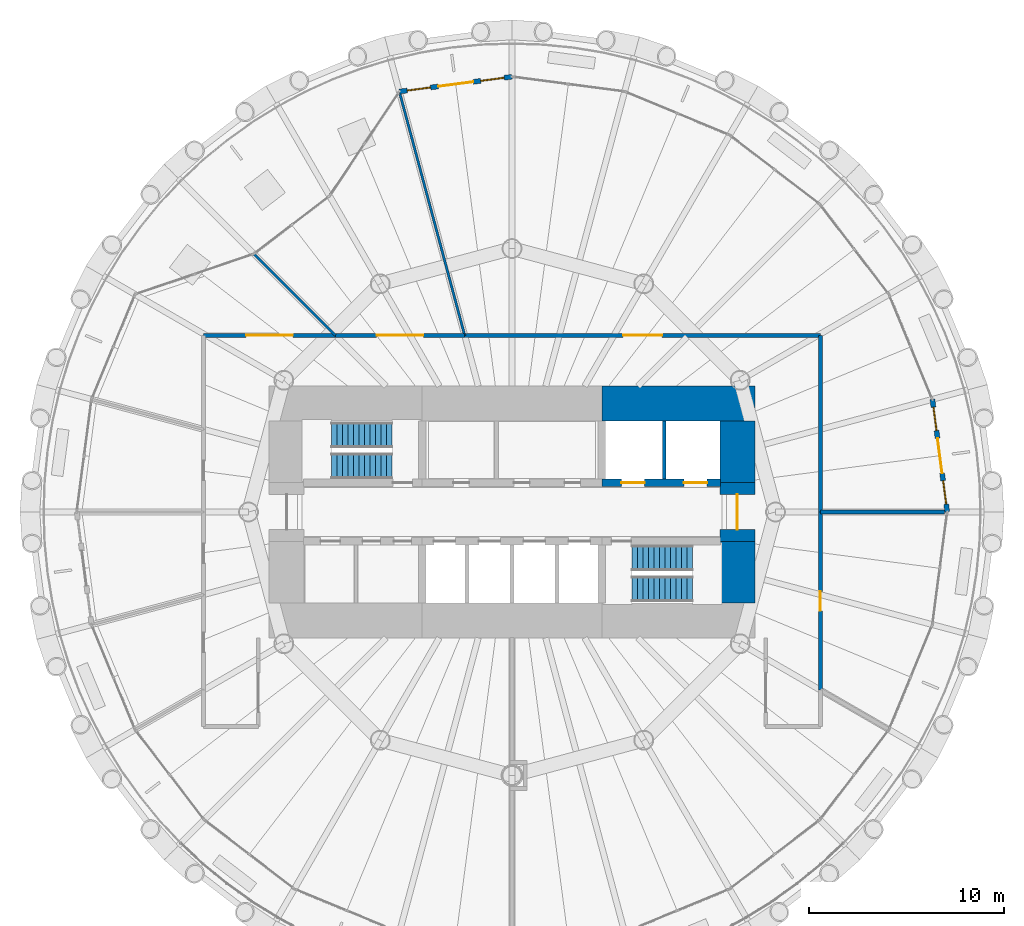
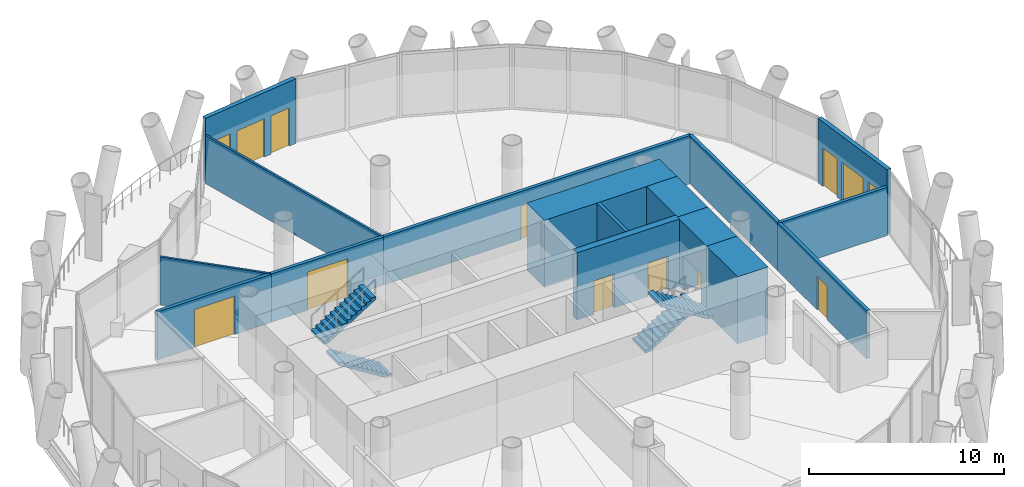
# One storey, part 10 of 14: 16 walls, 9 doors, 4 stair flights, 4 windows, 13 openings, 2 elements without a shape of their own.
"""IFC4 building model written with IfcOpenShell, lengths in metres."""

from ifc_helpers import new_model, si_unit, direction, frame, frame_2d, origin, place, context, subcontext, project, spatial, polyline, rectangle, outline, extrude, material, layer, layer_set, type_object, element, fill, aggregate, save


model = new_model("IFC4")

# Units and contexts
model_context = context("Model", 3, precision=1e-05, world=origin(), true_north=direction((0.0, 1.0)))
body_context = subcontext(model_context, "Body", "Model", "MODEL_VIEW")
ifc_project = project(units=[si_unit("LENGTHUNIT", "METRE"), si_unit("AREAUNIT", "SQUARE_METRE"), si_unit("VOLUMEUNIT", "CUBIC_METRE"), si_unit("PLANEANGLEUNIT", "RADIAN"), si_unit("MASSUNIT", "GRAM", prefix="KILO")], contexts=[model_context])

# Site, building, storey
site_placement = place(None, origin())
site = spatial("IfcSite", under=ifc_project, at=site_placement, CompositionType="ELEMENT")
building_placement = place(site_placement, origin())
building = spatial("IfcBuilding", under=site, at=building_placement, Name="Qaws Media Tower", CompositionType="ELEMENT")
storey_placement = place(building_placement, frame((0.0, 0.0, 160.39990234375)))
storey = spatial("IfcBuildingStorey", under=building, at=storey_placement, Name="L36", CompositionType="ELEMENT", Elevation=160.39990234375)

# Wall, openings, door, windows
ifc_material_1 = material(Name="Precast concrete, exposed finish", Category="concrete")
ifc_layer_1 = layer(ifc_material_1, 0.25)
ifc_layer_set_1 = layer_set([ifc_layer_1], Name="Balcony door wall 250")
wall_type_1 = type_object("IfcWallType", Name="Balcony door wall 250", PredefinedType="SOLIDWALL", material=ifc_layer_set_1)
wall_1_placement = place(storey_placement, frame((82.300048828125, 50.0, 0.0), z_axis=(0.0, 0.0, 1.0), x_axis=(-0.130551062135, 0.99144158687, 0.0)))
wall_1 = element("IfcWall", 1, at=wall_1_placement, inside=storey, type_object=wall_type_1, Name="W132 EW1 balcony door wall L36-01", PredefinedType="SOLIDWALL", context=body_context, shape_type="SweptSolid", body=[
    extrude(rectangle(XDim=5.821533203125, YDim=0.25, at=frame_2d((2.91064453125, 0.0))), origin(), (0.0, 0.0, 1.0), 4.0400390625),
])
opening_1_placement = place(wall_1_placement, frame((2.0107421875, 0.0, 0.0)))
opening_1 = element("IfcOpeningElement", 2, at=opening_1_placement, cuts=wall_1, Name="Opening D7", PredefinedType="OPENING", context=body_context, shape_type="SweptSolid", body=[
    extrude(rectangle(XDim=1.800048828125, YDim=2.39990234375, at=frame_2d((0.89990234375, 1.199951171875))), frame((0.0, 0.135009765625, 0.0), z_axis=(0.0, -1.0, 0.0), x_axis=(1.0, 0.0, 0.0)), (0.0, 0.0, 1.0), 0.27001953125),
])
opening_2_placement = place(wall_1_placement, frame((0.41064453125, 0.0, 0.0)))
opening_2 = element("IfcOpeningElement", 3, at=opening_2_placement, cuts=wall_1, Name="Opening W1", PredefinedType="OPENING", context=body_context, shape_type="SweptSolid", body=[
    extrude(rectangle(XDim=1.199951171875, YDim=2.39990234375, at=frame_2d((0.60009765625, 1.199951171875))), frame((0.0, 0.135009765625, 0.0), z_axis=(0.0, -1.0, 0.0), x_axis=(1.0, 0.0, 0.0)), (0.0, 0.0, 1.0), 0.27001953125),
])
opening_3_placement = place(wall_1_placement, frame((4.210693359375, 0.0, 0.0)))
opening_3 = element("IfcOpeningElement", 4, at=opening_3_placement, cuts=wall_1, Name="Opening W1", PredefinedType="OPENING", context=body_context, shape_type="SweptSolid", body=[
    extrude(rectangle(XDim=1.199951171875, YDim=2.39990234375, at=frame_2d((0.60009765625, 1.199951171875))), frame((0.0, 0.135009765625, 0.0), z_axis=(0.0, -1.0, 0.0), x_axis=(1.0, 0.0, 0.0)), (0.0, 0.0, 1.0), 0.27001953125),
])
ifc_material_2 = material(Name="Aluminium and clear glass", Category="aluminium")
door_type_1 = type_object("IfcDoorType", Name="Balcony door pair 1800", OperationType="DOUBLE_DOOR_SLIDING", PredefinedType="DOOR", material=ifc_material_2)
door_1_placement = place(opening_1_placement, origin())
door_1 = element("IfcDoor", 5, at=door_1_placement, inside=storey, type_object=door_type_1, Name="D7 balcony door L36-01 in wall W132", OperationType="DOUBLE_DOOR_SLIDING", OverallHeight=2.39990234375, OverallWidth=1.800048828125, PredefinedType="DOOR", context=body_context, shape_type="SweptSolid", body=[
    extrude(rectangle(XDim=1.800048828125, YDim=2.39990234375, at=frame_2d((0.89990234375, 1.199951171875))), frame((0.0, 0.02490234375, 0.0), z_axis=(0.0, -1.0, 0.0), x_axis=(1.0, 0.0, 0.0)), (0.0, 0.0, 1.0), 0.050048828125),
])
fill(opening_1, door_1)
ifc_material_3 = material(Name="Aluminium and clear glass", Category="aluminium")
window_type = type_object("IfcWindowType", Name="Balcony side window 1200", PartitioningType="SINGLE_PANEL", PredefinedType="WINDOW", material=ifc_material_3)
window_1_placement = place(opening_2_placement, origin())
window_1 = element("IfcWindow", 6, at=window_1_placement, inside=storey, type_object=window_type, Name="W1 balcony side light L36-01L", OverallHeight=2.39990234375, OverallWidth=1.199951171875, PartitioningType="SINGLE_PANEL", PredefinedType="WINDOW", context=body_context, shape_type="SweptSolid", body=[
    extrude(rectangle(XDim=1.199951171875, YDim=2.39990234375, at=frame_2d((0.60009765625, 1.199951171875))), frame((0.0, 0.030029296875, 0.0), z_axis=(0.0, -1.0, 0.0), x_axis=(1.0, 0.0, 0.0)), (0.0, 0.0, 1.0), 0.06005859375),
])
fill(opening_2, window_1)
window_2_placement = place(opening_3_placement, origin())
window_2 = element("IfcWindow", 7, at=window_2_placement, inside=storey, type_object=window_type, Name="W1 balcony side light L36-01R", OverallHeight=2.39990234375, OverallWidth=1.199951171875, PartitioningType="SINGLE_PANEL", PredefinedType="WINDOW", context=body_context, shape_type="SweptSolid", body=[
    extrude(rectangle(XDim=1.199951171875, YDim=2.39990234375, at=frame_2d((0.60009765625, 1.199951171875))), frame((0.0, 0.030029296875, 0.0), z_axis=(0.0, -1.0, 0.0), x_axis=(1.0, 0.0, 0.0)), (0.0, 0.0, 1.0), 0.06005859375),
])
fill(opening_3, window_2)

wall_2_placement = place(storey_placement, frame((60.0, 72.300048828125, 0.0), z_axis=(0.0, 0.0, 1.0), x_axis=(-0.99144158687, -0.130551062135, 0.0)))
wall_2 = element("IfcWall", 8, at=wall_2_placement, inside=storey, type_object=wall_type_1, Name="W131 EW1 balcony door wall L36-07", PredefinedType="SOLIDWALL", context=body_context, shape_type="SweptSolid", body=[
    extrude(rectangle(XDim=5.821533203125, YDim=0.25, at=frame_2d((2.91064453125, 0.0))), origin(), (0.0, 0.0, 1.0), 4.0400390625),
])
opening_4_placement = place(wall_2_placement, frame((2.0107421875, 0.0, 0.0)))
opening_4 = element("IfcOpeningElement", 9, at=opening_4_placement, cuts=wall_2, Name="Opening D7", PredefinedType="OPENING", context=body_context, shape_type="SweptSolid", body=[
    extrude(rectangle(XDim=1.800048828125, YDim=2.39990234375, at=frame_2d((0.89990234375, 1.199951171875))), frame((0.0, 0.135009765625, 0.0), z_axis=(0.0, -1.0, 0.0), x_axis=(1.0, 0.0, 0.0)), (0.0, 0.0, 1.0), 0.27001953125),
])
opening_5_placement = place(wall_2_placement, frame((0.41064453125, 0.0, 0.0)))
opening_5 = element("IfcOpeningElement", 10, at=opening_5_placement, cuts=wall_2, Name="Opening W1", PredefinedType="OPENING", context=body_context, shape_type="SweptSolid", body=[
    extrude(rectangle(XDim=1.199951171875, YDim=2.39990234375, at=frame_2d((0.60009765625, 1.199951171875))), frame((0.0, 0.135009765625, 0.0), z_axis=(0.0, -1.0, 0.0), x_axis=(1.0, 0.0, 0.0)), (0.0, 0.0, 1.0), 0.27001953125),
])
opening_6_placement = place(wall_2_placement, frame((4.210693359375, 0.0, 0.0)))
opening_6 = element("IfcOpeningElement", 11, at=opening_6_placement, cuts=wall_2, Name="Opening W1", PredefinedType="OPENING", context=body_context, shape_type="SweptSolid", body=[
    extrude(rectangle(XDim=1.199951171875, YDim=2.39990234375, at=frame_2d((0.60009765625, 1.199951171875))), frame((0.0, 0.135009765625, 0.0), z_axis=(0.0, -1.0, 0.0), x_axis=(1.0, 0.0, 0.0)), (0.0, 0.0, 1.0), 0.27001953125),
])
door_2_placement = place(opening_4_placement, origin())
door_2 = element("IfcDoor", 12, at=door_2_placement, inside=storey, type_object=door_type_1, Name="D7 balcony door L36-07 in wall W131", OperationType="DOUBLE_DOOR_SLIDING", OverallHeight=2.39990234375, OverallWidth=1.800048828125, PredefinedType="DOOR", context=body_context, shape_type="SweptSolid", body=[
    extrude(rectangle(XDim=1.800048828125, YDim=2.39990234375, at=frame_2d((0.89990234375, 1.199951171875))), frame((0.0, 0.02490234375, 0.0), z_axis=(0.0, -1.0, 0.0), x_axis=(1.0, 0.0, 0.0)), (0.0, 0.0, 1.0), 0.050048828125),
])
fill(opening_4, door_2)
window_3_placement = place(opening_5_placement, origin())
window_3 = element("IfcWindow", 13, at=window_3_placement, inside=storey, type_object=window_type, Name="W1 balcony side light L36-07L", OverallHeight=2.39990234375, OverallWidth=1.199951171875, PartitioningType="SINGLE_PANEL", PredefinedType="WINDOW", context=body_context, shape_type="SweptSolid", body=[
    extrude(rectangle(XDim=1.199951171875, YDim=2.39990234375, at=frame_2d((0.60009765625, 1.199951171875))), frame((0.0, 0.030029296875, 0.0), z_axis=(0.0, -1.0, 0.0), x_axis=(1.0, 0.0, 0.0)), (0.0, 0.0, 1.0), 0.06005859375),
])
fill(opening_5, window_3)
window_4_placement = place(opening_6_placement, origin())
window_4 = element("IfcWindow", 14, at=window_4_placement, inside=storey, type_object=window_type, Name="W1 balcony side light L36-07R", OverallHeight=2.39990234375, OverallWidth=1.199951171875, PartitioningType="SINGLE_PANEL", PredefinedType="WINDOW", context=body_context, shape_type="SweptSolid", body=[
    extrude(rectangle(XDim=1.199951171875, YDim=2.39990234375, at=frame_2d((0.60009765625, 1.199951171875))), frame((0.0, 0.030029296875, 0.0), z_axis=(0.0, -1.0, 0.0), x_axis=(1.0, 0.0, 0.0)), (0.0, 0.0, 1.0), 0.06005859375),
])
fill(opening_6, window_4)

# Wall, openings, doors
ifc_material_4 = material(Name="Concrete C60/75", Category="concrete")
ifc_layer_2 = layer(ifc_material_4, 0.39990234375)
ifc_layer_set_2 = layer_set([ifc_layer_2], Name="Core inner wall 400")
wall_type_2 = type_object("IfcWallType", Name="Core inner wall 400", PredefinedType="SHEAR", material=ifc_layer_set_2)
wall_3_placement = place(storey_placement, frame((64.60009765625, 51.5, 0.0), z_axis=(0.0, 0.0, 1.0), x_axis=(1.0, 0.0, 0.0)))
wall_3 = element("IfcWall", 15, at=wall_3_placement, inside=storey, type_object=wall_type_2, Name="W326 SW4 core wall SPNE L36", PredefinedType="SHEAR", context=body_context, shape_type="SweptSolid", body=[
    extrude(rectangle(XDim=6.06982421875, YDim=0.39990234375, at=frame_2d((3.034912109375, 0.0))), origin(), (0.0, 0.0, 1.0), 4.2001953125),
])
opening_7_placement = place(wall_3_placement, frame((1.0, 0.0, 0.0)))
opening_7 = element("IfcOpeningElement", 16, at=opening_7_placement, cuts=wall_3, Name="Opening LD2", PredefinedType="OPENING", context=body_context, shape_type="SweptSolid", body=[
    extrude(rectangle(XDim=1.199951171875, YDim=2.10009765625, at=frame_2d((0.60009765625, 1.050048828125))), frame((0.0, 0.2099609375, 0.0), z_axis=(0.0, -1.0, 0.0), x_axis=(1.0, 0.0, 0.0)), (0.0, 0.0, 1.0), 0.419921875),
])
opening_8_placement = place(wall_3_placement, frame((4.199951171875, 0.0, 0.0)))
opening_8 = element("IfcOpeningElement", 17, at=opening_8_placement, cuts=wall_3, Name="Opening LD2", PredefinedType="OPENING", context=body_context, shape_type="SweptSolid", body=[
    extrude(rectangle(XDim=1.199951171875, YDim=2.10009765625, at=frame_2d((0.60009765625, 1.050048828125))), frame((0.0, 0.2099609375, 0.0), z_axis=(0.0, -1.0, 0.0), x_axis=(1.0, 0.0, 0.0)), (0.0, 0.0, 1.0), 0.419921875),
])
ifc_material_5 = material(Name="Steel, fire rated", Category="steel")
door_type_2 = type_object("IfcDoorType", Name="Lift landing door 1200", OperationType="SLIDING_TO_LEFT", PredefinedType="DOOR", material=ifc_material_5)
door_3_placement = place(opening_7_placement, origin())
door_3 = element("IfcDoor", 18, at=door_3_placement, inside=storey, type_object=door_type_2, Name="FL1 landing door L36 in wall W326", OperationType="SLIDING_TO_LEFT", OverallHeight=2.10009765625, OverallWidth=1.199951171875, PredefinedType="DOOR", context=body_context, shape_type="SweptSolid", body=[
    extrude(rectangle(XDim=1.199951171875, YDim=2.10009765625, at=frame_2d((0.60009765625, 1.050048828125))), frame((0.0, 0.02490234375, 0.0), z_axis=(0.0, -1.0, 0.0), x_axis=(1.0, 0.0, 0.0)), (0.0, 0.0, 1.0), 0.050048828125),
])
fill(opening_7, door_3)
door_4_placement = place(opening_8_placement, origin())
door_4 = element("IfcDoor", 19, at=door_4_placement, inside=storey, type_object=door_type_2, Name="FL2 landing door L36 in wall W326", OperationType="SLIDING_TO_LEFT", OverallHeight=2.10009765625, OverallWidth=1.199951171875, PredefinedType="DOOR", context=body_context, shape_type="SweptSolid", body=[
    extrude(rectangle(XDim=1.199951171875, YDim=2.10009765625, at=frame_2d((0.60009765625, 1.050048828125))), frame((0.0, 0.02490234375, 0.0), z_axis=(0.0, -1.0, 0.0), x_axis=(1.0, 0.0, 0.0)), (0.0, 0.0, 1.0), 0.050048828125),
])
fill(opening_8, door_4)

# Walls
ifc_material_6 = material(Name="Concrete C60/75", Category="concrete")
ifc_layer_3 = layer(ifc_material_6, 1.800048828125)
ifc_layer_set_3 = layer_set([ifc_layer_3], Name="Core wall 1800")
wall_type_3 = type_object("IfcWallType", Name="Core wall 1800", PredefinedType="SHEAR", material=ifc_layer_set_3)
wall_4_placement = place(storey_placement, frame((64.60009765625, 55.550048828125, 0.0), z_axis=(0.0, 0.0, 1.0), x_axis=(1.0, 0.0, 0.0)))
element("IfcWall", 20, at=wall_4_placement, inside=storey, type_object=wall_type_3, Name="W423 SW11 core wall NE L36", PredefinedType="SHEAR", context=body_context, shape_type="SweptSolid", body=[
    extrude(rectangle(XDim=7.849853515625, YDim=1.800048828125, at=frame_2d((3.9248046875, 0.0))), origin(), (0.0, 0.0, 1.0), 4.2001953125),
])
wall_5_placement = place(storey_placement, frame((71.550048828125, 45.330078125, 0.0), z_axis=(0.0, 0.0, 1.0), x_axis=(0.0, 1.0, 0.0)))
element("IfcWall", 21, at=wall_5_placement, inside=storey, type_object=wall_type_3, Name="W424 SW11 core wall ES L36", PredefinedType="SHEAR", context=body_context, shape_type="SweptSolid", body=[
    extrude(rectangle(XDim=3.169921875, YDim=1.800048828125, at=frame_2d((1.5849609375, 0.0))), origin(), (0.0, 0.0, 1.0), 4.2001953125),
])

# Wall, opening, door
wall_6_placement = place(storey_placement, frame((71.550048828125, 48.5, 0.0), z_axis=(0.0, 0.0, 1.0), x_axis=(0.0, 1.0, 0.0)))
wall_6 = element("IfcWall", 22, at=wall_6_placement, inside=storey, type_object=wall_type_3, Name="W427 SW11 core wall E L36", PredefinedType="SHEAR", context=body_context, shape_type="SweptSolid", body=[
    extrude(rectangle(XDim=3.0, YDim=1.800048828125, at=frame_2d((1.5, 0.0))), origin(), (0.0, 0.0, 1.0), 4.2001953125),
])
opening_9_placement = place(wall_6_placement, frame((0.60009765625, 0.0, 0.0)))
opening_9 = element("IfcOpeningElement", 23, at=opening_9_placement, cuts=wall_6, Name="Opening D2", PredefinedType="OPENING", context=body_context, shape_type="SweptSolid", body=[
    extrude(rectangle(XDim=1.800048828125, YDim=2.10009765625, at=frame_2d((0.89990234375, 1.050048828125))), frame((0.0, 0.909912109375, 0.0), z_axis=(0.0, -1.0, 0.0), x_axis=(1.0, 0.0, 0.0)), (0.0, 0.0, 1.0), 1.820068359375),
])
ifc_material_7 = material(Name="Steel and glass, fire rated", Category="steel")
door_type_3 = type_object("IfcDoorType", Name="Lobby door pair 1800 FD60", OperationType="DOUBLE_DOOR_DOUBLE_SWING", PredefinedType="DOOR", material=ifc_material_7)
door_5_placement = place(opening_9_placement, origin())
door_5 = element("IfcDoor", 24, at=door_5_placement, inside=storey, type_object=door_type_3, Name="D2 core lobby door E L36 in wall W427", OperationType="DOUBLE_DOOR_DOUBLE_SWING", OverallHeight=2.10009765625, OverallWidth=1.800048828125, PredefinedType="DOOR", context=body_context, shape_type="SweptSolid", body=[
    extrude(rectangle(XDim=1.800048828125, YDim=2.10009765625, at=frame_2d((0.89990234375, 1.050048828125))), frame((0.0, 0.02490234375, 0.0), z_axis=(0.0, -1.0, 0.0), x_axis=(1.0, 0.0, 0.0)), (0.0, 0.0, 1.0), 0.050048828125),
])
fill(opening_9, door_5)

# Walls
wall_7_placement = place(storey_placement, frame((71.550048828125, 51.5, 0.0), z_axis=(0.0, 0.0, 1.0), x_axis=(0.0, 1.0, 0.0)))
element("IfcWall", 25, at=wall_7_placement, inside=storey, type_object=wall_type_3, Name="W425 SW11 core wall EN L36", PredefinedType="SHEAR", context=body_context, shape_type="SweptSolid", body=[
    extrude(rectangle(XDim=3.169921875, YDim=1.800048828125, at=frame_2d((1.5849609375, 0.0))), origin(), (0.0, 0.0, 1.0), 4.2001953125),
])
ifc_material_8 = material(Name="Two layers gypsum board each side on 75 studs, insulated", Category="gypsum")
ifc_layer_4 = layer(ifc_material_8, 0.125)
ifc_layer_set_4 = layer_set([ifc_layer_4], Name="Meeting room partition 125 Rw 48")
wall_type_4 = type_object("IfcWallType", Name="Meeting room partition 125 Rw 48", PredefinedType="PARTITIONING", material=ifc_layer_set_4)
wall_8_placement = place(storey_placement, frame((57.577392578125, 59.041015625, 0.0), z_axis=(0.0, 0.0, 1.0), x_axis=(-0.258810449587, 0.96592812941, 0.0)))
element("IfcWall", 26, at=wall_8_placement, inside=storey, type_object=wall_type_4, Name="W571 IW5 partition L36", PredefinedType="PARTITIONING", context=body_context, shape_type="SweptSolid", body=[
    extrude(rectangle(XDim=12.7998046875, YDim=0.125, at=frame_2d((6.39990234375, 0.0))), origin(), (0.0, 0.0, 1.0), 3.01220703125),
])
wall_9_placement = place(storey_placement, frame((50.948974609375, 59.051025390625, 0.0), z_axis=(0.0, 0.0, 1.0), x_axis=(-0.707106781187, 0.707106781187, 0.0)))
element("IfcWall", 27, at=wall_9_placement, inside=storey, type_object=wall_type_4, Name="W570 IW5 partition L36", PredefinedType="PARTITIONING", context=body_context, shape_type="SweptSolid", body=[
    extrude(rectangle(XDim=5.85986328125, YDim=0.125, at=frame_2d((2.929931640625, 0.0))), origin(), (0.0, 0.0, 1.0), 3.01220703125),
])

# Wall, opening, door
ifc_material_9 = material(Name="Gypsum board on galvanised metal studs, acoustic double stud, deflection head", Category="gypsum")
ifc_layer_5 = layer(ifc_material_9, 0.199951171875)
ifc_layer_set_5 = layer_set([ifc_layer_5], Name="Room partition 200")
wall_type_5 = type_object("IfcWallType", Name="Room partition 200", PredefinedType="PARTITIONING", material=ifc_layer_set_5)
wall_10_placement = place(storey_placement, frame((44.199951171875, 59.050048828125, 0.0), z_axis=(0.0, 0.0, 1.0), x_axis=(1.0, 0.0, 0.0)))
wall_10 = element("IfcWall", 28, at=wall_10_placement, inside=storey, type_object=wall_type_5, Name="W1365 IW3 partition L36", PredefinedType="PARTITIONING", context=body_context, shape_type="SweptSolid", body=[
    extrude(rectangle(XDim=6.75, YDim=0.199951171875, at=frame_2d((3.375, 0.0))), origin(), (0.0, 0.0, 1.0), 3.01220703125),
])
opening_10_placement = place(wall_10_placement, frame((2.175048828125, 0.0, 0.0)))
opening_10 = element("IfcOpeningElement", 29, at=opening_10_placement, cuts=wall_10, Name="Opening D17", PredefinedType="OPENING", context=body_context, shape_type="SweptSolid", body=[
    extrude(rectangle(XDim=2.39990234375, YDim=2.39990234375, at=frame_2d((1.199951171875, 1.199951171875))), frame((0.0, 0.10986328125, 0.0), z_axis=(0.0, -1.0, 0.0), x_axis=(1.0, 0.0, 0.0)), (0.0, 0.0, 1.0), 0.219970703125),
])
ifc_material_10 = material(Name="Timber veneered, panic hardware", Category="wood")
door_type_4 = type_object("IfcDoorType", Name="Assembly room door pair 2400x2400", OperationType="DOUBLE_DOOR_DOUBLE_SWING", PredefinedType="DOOR", material=ifc_material_10)
door_6_placement = place(opening_10_placement, origin())
door_6 = element("IfcDoor", 30, at=door_6_placement, inside=storey, type_object=door_type_4, Name="D17 Training room door L36 in wall W1365", OperationType="DOUBLE_DOOR_DOUBLE_SWING", OverallHeight=2.39990234375, OverallWidth=2.39990234375, PredefinedType="DOOR", context=body_context, shape_type="SweptSolid", body=[
    extrude(rectangle(XDim=2.39990234375, YDim=2.39990234375, at=frame_2d((1.199951171875, 1.199951171875))), frame((0.0, 0.02490234375, 0.0), z_axis=(0.0, -1.0, 0.0), x_axis=(1.0, 0.0, 0.0)), (0.0, 0.0, 1.0), 0.050048828125),
])
fill(opening_10, door_6)

wall_11_placement = place(storey_placement, frame((50.949951171875, 59.050048828125, 0.0), z_axis=(0.0, 0.0, 1.0), x_axis=(1.0, 0.0, 0.0)))
wall_11 = element("IfcWall", 31, at=wall_11_placement, inside=storey, type_object=wall_type_5, Name="W1368 IW3 partition L36", PredefinedType="PARTITIONING", context=body_context, shape_type="SweptSolid", body=[
    extrude(rectangle(XDim=6.625244140625, YDim=0.199951171875, at=frame_2d((3.3125, 0.0))), origin(), (0.0, 0.0, 1.0), 3.02001953125),
])
opening_11_placement = place(wall_11_placement, frame((2.112548828125, 0.0, 0.0)))
opening_11 = element("IfcOpeningElement", 32, at=opening_11_placement, cuts=wall_11, Name="Opening D17", PredefinedType="OPENING", context=body_context, shape_type="SweptSolid", body=[
    extrude(rectangle(XDim=2.39990234375, YDim=2.39990234375, at=frame_2d((1.199951171875, 1.199951171875))), frame((0.0, 0.10986328125, 0.0), z_axis=(0.0, -1.0, 0.0), x_axis=(1.0, 0.0, 0.0)), (0.0, 0.0, 1.0), 0.219970703125),
])
door_7_placement = place(opening_11_placement, origin())
door_7 = element("IfcDoor", 33, at=door_7_placement, inside=storey, type_object=door_type_4, Name="D17 Training room door L36 in wall W1368", OperationType="DOUBLE_DOOR_DOUBLE_SWING", OverallHeight=2.39990234375, OverallWidth=2.39990234375, PredefinedType="DOOR", context=body_context, shape_type="SweptSolid", body=[
    extrude(rectangle(XDim=2.39990234375, YDim=2.39990234375, at=frame_2d((1.199951171875, 1.199951171875))), frame((0.0, 0.02490234375, 0.0), z_axis=(0.0, -1.0, 0.0), x_axis=(1.0, 0.0, 0.0)), (0.0, 0.0, 1.0), 0.050048828125),
])
fill(opening_11, door_7)

wall_12_placement = place(storey_placement, frame((57.5751953125, 59.050048828125, 0.0), z_axis=(0.0, 0.0, 1.0), x_axis=(1.0, 0.0, 0.0)))
wall_12 = element("IfcWall", 34, at=wall_12_placement, inside=storey, type_object=wall_type_5, Name="W1369 IW3 partition L36", PredefinedType="PARTITIONING", context=body_context, shape_type="SweptSolid", body=[
    extrude(rectangle(XDim=18.224853515625, YDim=0.199951171875, at=frame_2d((9.1123046875, 0.0))), origin(), (0.0, 0.0, 1.0), 3.01220703125),
])
opening_12_placement = place(wall_12_placement, frame((8.112548828125, 0.0, 0.0)))
opening_12 = element("IfcOpeningElement", 35, at=opening_12_placement, cuts=wall_12, Name="Opening D6", PredefinedType="OPENING", context=body_context, shape_type="SweptSolid", body=[
    extrude(rectangle(XDim=2.0, YDim=2.10009765625, at=frame_2d((1.0, 1.050048828125))), frame((0.0, 0.10986328125, 0.0), z_axis=(0.0, -1.0, 0.0), x_axis=(1.0, 0.0, 0.0)), (0.0, 0.0, 1.0), 0.219970703125),
])
ifc_material_11 = material(Name="Steel, acoustic, fire rated", Category="steel")
door_type_5 = type_object("IfcDoorType", Name="Room door pair 2000", OperationType="DOUBLE_DOOR_DOUBLE_SWING", PredefinedType="DOOR", material=ifc_material_11)
door_8_placement = place(opening_12_placement, origin())
door_8 = element("IfcDoor", 36, at=door_8_placement, inside=storey, type_object=door_type_5, Name="D6 HR office door L36 in wall W1369", OperationType="DOUBLE_DOOR_DOUBLE_SWING", OverallHeight=2.10009765625, OverallWidth=2.0, PredefinedType="DOOR", context=body_context, shape_type="SweptSolid", body=[
    extrude(rectangle(XDim=2.0, YDim=2.10009765625, at=frame_2d((1.0, 1.050048828125))), frame((0.0, 0.02490234375, 0.0), z_axis=(0.0, -1.0, 0.0), x_axis=(1.0, 0.0, 0.0)), (0.0, 0.0, 1.0), 0.050048828125),
])
fill(opening_12, door_8)

# Wall
wall_13_placement = place(storey_placement, frame((75.800048828125, 59.050048828125, 0.0), z_axis=(0.0, 0.0, 1.0), x_axis=(0.0, -1.0, 0.0)))
element("IfcWall", 37, at=wall_13_placement, inside=storey, type_object=wall_type_5, Name="W1377 IW3 partition L36", PredefinedType="PARTITIONING", context=body_context, shape_type="SweptSolid", body=[
    extrude(rectangle(XDim=9.050048828125, YDim=0.199951171875, at=frame_2d((4.52490234375, 0.0))), origin(), (0.0, 0.0, 1.0), 3.01220703125),
])

# Wall, opening, door
wall_14_placement = place(storey_placement, frame((75.800048828125, 50.0, 0.0), z_axis=(0.0, 0.0, 1.0), x_axis=(0.0, -1.0, 0.0)))
wall_14 = element("IfcWall", 38, at=wall_14_placement, inside=storey, type_object=wall_type_5, Name="W1375 IW3 partition L36", PredefinedType="PARTITIONING", context=body_context, shape_type="SweptSolid", body=[
    extrude(rectangle(XDim=9.1220703125, YDim=0.199951171875, at=frame_2d((4.56103515625, 0.0))), origin(), (0.0, 0.0, 1.0), 3.01220703125),
])
opening_13_placement = place(wall_14_placement, frame((4.06103515625, 0.0, 0.0)))
opening_13 = element("IfcOpeningElement", 39, at=opening_13_placement, cuts=wall_14, Name="Opening D5", PredefinedType="OPENING", context=body_context, shape_type="SweptSolid", body=[
    extrude(rectangle(XDim=1.0, YDim=2.10009765625, at=frame_2d((0.5, 1.050048828125))), frame((0.0, 0.10986328125, 0.0), z_axis=(0.0, -1.0, 0.0), x_axis=(1.0, 0.0, 0.0)), (0.0, 0.0, 1.0), 0.219970703125),
])
ifc_material_12 = material(Name="Timber veneered, acoustic seal", Category="wood")
door_type_6 = type_object("IfcDoorType", Name="Room door 1000", OperationType="SINGLE_SWING_LEFT", PredefinedType="DOOR", material=ifc_material_12)
door_9_placement = place(opening_13_placement, origin())
door_9 = element("IfcDoor", 40, at=door_9_placement, inside=storey, type_object=door_type_6, Name="D5 HR office door L36 in wall W1375", OperationType="SINGLE_SWING_LEFT", OverallHeight=2.10009765625, OverallWidth=1.0, PredefinedType="DOOR", context=body_context, shape_type="SweptSolid", body=[
    extrude(rectangle(XDim=1.0, YDim=2.10009765625, at=frame_2d((0.5, 1.050048828125))), frame((0.0, 0.02490234375, 0.0), z_axis=(0.0, -1.0, 0.0), x_axis=(1.0, 0.0, 0.0)), (0.0, 0.0, 1.0), 0.050048828125),
])
fill(opening_13, door_9)

# Walls
wall_15_placement = place(storey_placement, frame((75.800048828125, 50.0, 0.0), z_axis=(0.0, 0.0, 1.0), x_axis=(1.0, 0.0, 0.0)))
element("IfcWall", 41, at=wall_15_placement, inside=storey, type_object=wall_type_5, Name="W1376 IW3 partition L36", PredefinedType="PARTITIONING", context=body_context, shape_type="SweptSolid", body=[
    extrude(rectangle(XDim=6.35986328125, YDim=0.199951171875, at=frame_2d((3.179931640625, 0.0))), origin(), (0.0, 0.0, 1.0), 3.01220703125),
])
ifc_material_13 = material(Name="Fire-rated gypsum board shaft wall on galvanised metal studs, deflection head", Category="gypsum")
ifc_layer_6 = layer(ifc_material_13, 0.199951171875)
ifc_layer_set_6 = layer_set([ifc_layer_6], Name="Shaft wall 200")
wall_type_6 = type_object("IfcWallType", Name="Shaft wall 200", PredefinedType="PARTITIONING", material=ifc_layer_set_6)
wall_16_placement = place(storey_placement, frame((67.800048828125, 51.699951171875, 0.0), z_axis=(0.0, 0.0, 1.0), x_axis=(0.0, 1.0, 0.0)))
element("IfcWall", 42, at=wall_16_placement, inside=storey, type_object=wall_type_6, Name="W1863 IW1 shaft wall FL L36", PredefinedType="PARTITIONING", context=body_context, shape_type="SweptSolid", body=[
    extrude(rectangle(XDim=2.949951171875, YDim=0.199951171875, at=frame_2d((1.47509765625, 0.0))), origin(), (0.0, 0.0, 1.0), 4.2001953125),
])

# Stair, stair flights
ifc_material_14 = material(Name="Concrete C40/50", Category="concrete")
stair_type = type_object("IfcStairType", Name="Exit stair", PredefinedType="HALF_TURN_STAIR", material=ifc_material_14)
stair_1_placement = place(storey_placement, origin())
stair_1 = element("IfcStair", 43, at=stair_1_placement, inside=storey, type_object=stair_type, Name="S1 exit stair L36", PredefinedType="HALF_TURN_STAIR")
ifc_material_15 = material(Name="Concrete C40/50", Category="concrete")
stair_flight_type = type_object("IfcStairFlightType", Name="Stair flight 1310", PredefinedType="STRAIGHT", material=ifc_material_15)
stair_flight_1_placement = place(storey_placement, frame((53.840087890625, 52.35498046875, 0.0), z_axis=(0.0, 0.0, 1.0), x_axis=(-1.0, 0.0, 0.0)))
stair_flight_1 = element("IfcStairFlight", 44, at=stair_flight_1_placement, type_object=stair_flight_type, Name="S1 flight 1", NumberOfRisers=12, NumberOfTreads=11, PredefinedType="STRAIGHT", RiserHeight=0.175, TreadLength=0.28, context=body_context, shape_type="SweptSolid", body=[
    extrude(outline(polyline([(0.0, 0.0), (0.0, 0.175048828125), (0.280029296875, 0.175048828125), (0.280029296875, 0.35009765625), (0.56005859375, 0.35009765625), (0.56005859375, 0.52490234375), (0.840087890625, 0.52490234375), (0.840087890625, 0.699951171875), (1.1201171875, 0.699951171875), (1.1201171875, 0.875), (1.39990234375, 0.875), (1.39990234375, 1.050048828125), (1.679931640625, 1.050048828125), (1.679931640625, 1.22509765625), (1.9599609375, 1.22509765625), (1.9599609375, 1.39990234375), (2.239990234375, 1.39990234375), (2.239990234375, 1.574951171875), (2.52001953125, 1.574951171875), (2.52001953125, 1.75), (2.800048828125, 1.75), (2.800048828125, 1.925048828125), (3.080078125, 1.925048828125), (3.080078125, 2.10009765625), (3.080078125, 1.748291015625), (0.28271484375, 0.0), (0.0, 0.0)])), frame((0.0, 0.655029296875, 0.0), z_axis=(0.0, -1.0, 0.0), x_axis=(1.0, 0.0, 0.0)), (0.0, 0.0, 1.0), 1.31005859375),
])
stair_flight_2_placement = place(storey_placement, frame((50.760009765625, 53.945068359375, 2.10009765625), z_axis=(0.0, 0.0, 1.0), x_axis=(1.0, 0.0, 0.0)))
stair_flight_2 = element("IfcStairFlight", 45, at=stair_flight_2_placement, type_object=stair_flight_type, Name="S1 flight 2", NumberOfRisers=12, NumberOfTreads=11, PredefinedType="STRAIGHT", RiserHeight=0.175, TreadLength=0.28, context=body_context, shape_type="SweptSolid", body=[
    extrude(outline(polyline([(0.0, 0.0), (0.0, 0.175048828125), (0.280029296875, 0.175048828125), (0.280029296875, 0.35009765625), (0.56005859375, 0.35009765625), (0.56005859375, 0.52490234375), (0.840087890625, 0.52490234375), (0.840087890625, 0.699951171875), (1.1201171875, 0.699951171875), (1.1201171875, 0.875), (1.39990234375, 0.875), (1.39990234375, 1.050048828125), (1.679931640625, 1.050048828125), (1.679931640625, 1.22509765625), (1.9599609375, 1.22509765625), (1.9599609375, 1.39990234375), (2.239990234375, 1.39990234375), (2.239990234375, 1.574951171875), (2.52001953125, 1.574951171875), (2.52001953125, 1.75), (2.800048828125, 1.75), (2.800048828125, 1.925048828125), (3.080078125, 1.925048828125), (3.080078125, 2.10009765625), (3.080078125, 1.748291015625), (0.28271484375, 0.0), (0.0, 0.0)])), frame((0.0, 0.655029296875, 0.0), z_axis=(0.0, -1.0, 0.0), x_axis=(1.0, 0.0, 0.0)), (0.0, 0.0, 1.0), 1.31005859375),
])
aggregate(stair_1, [stair_flight_1, stair_flight_2])

stair_2_placement = place(storey_placement, origin())
stair_2 = element("IfcStair", 46, at=stair_2_placement, inside=storey, type_object=stair_type, Name="S2 exit stair L36", PredefinedType="HALF_TURN_STAIR")
stair_flight_3_placement = place(storey_placement, frame((66.159912109375, 47.64501953125, 0.0), z_axis=(0.0, 0.0, 1.0), x_axis=(1.0, 0.0, 0.0)))
stair_flight_3 = element("IfcStairFlight", 47, at=stair_flight_3_placement, type_object=stair_flight_type, Name="S2 flight 1", NumberOfRisers=12, NumberOfTreads=11, PredefinedType="STRAIGHT", RiserHeight=0.175, TreadLength=0.28, context=body_context, shape_type="SweptSolid", body=[
    extrude(outline(polyline([(0.0, 0.0), (0.0, 0.175048828125), (0.280029296875, 0.175048828125), (0.280029296875, 0.35009765625), (0.56005859375, 0.35009765625), (0.56005859375, 0.52490234375), (0.840087890625, 0.52490234375), (0.840087890625, 0.699951171875), (1.1201171875, 0.699951171875), (1.1201171875, 0.875), (1.39990234375, 0.875), (1.39990234375, 1.050048828125), (1.679931640625, 1.050048828125), (1.679931640625, 1.22509765625), (1.9599609375, 1.22509765625), (1.9599609375, 1.39990234375), (2.239990234375, 1.39990234375), (2.239990234375, 1.574951171875), (2.52001953125, 1.574951171875), (2.52001953125, 1.75), (2.800048828125, 1.75), (2.800048828125, 1.925048828125), (3.080078125, 1.925048828125), (3.080078125, 2.10009765625), (3.080078125, 1.748291015625), (0.28271484375, 0.0), (0.0, 0.0)])), frame((0.0, 0.655029296875, 0.0), z_axis=(0.0, -1.0, 0.0), x_axis=(1.0, 0.0, 0.0)), (0.0, 0.0, 1.0), 1.31005859375),
])
stair_flight_4_placement = place(storey_placement, frame((69.239990234375, 46.054931640625, 2.10009765625), z_axis=(0.0, 0.0, 1.0), x_axis=(-1.0, 0.0, 0.0)))
stair_flight_4 = element("IfcStairFlight", 48, at=stair_flight_4_placement, type_object=stair_flight_type, Name="S2 flight 2", NumberOfRisers=12, NumberOfTreads=11, PredefinedType="STRAIGHT", RiserHeight=0.175, TreadLength=0.28, context=body_context, shape_type="SweptSolid", body=[
    extrude(outline(polyline([(0.0, 0.0), (0.0, 0.175048828125), (0.280029296875, 0.175048828125), (0.280029296875, 0.35009765625), (0.56005859375, 0.35009765625), (0.56005859375, 0.52490234375), (0.840087890625, 0.52490234375), (0.840087890625, 0.699951171875), (1.1201171875, 0.699951171875), (1.1201171875, 0.875), (1.39990234375, 0.875), (1.39990234375, 1.050048828125), (1.679931640625, 1.050048828125), (1.679931640625, 1.22509765625), (1.9599609375, 1.22509765625), (1.9599609375, 1.39990234375), (2.239990234375, 1.39990234375), (2.239990234375, 1.574951171875), (2.52001953125, 1.574951171875), (2.52001953125, 1.75), (2.800048828125, 1.75), (2.800048828125, 1.925048828125), (3.080078125, 1.925048828125), (3.080078125, 2.10009765625), (3.080078125, 1.748291015625), (0.28271484375, 0.0), (0.0, 0.0)])), frame((0.0, 0.655029296875, 0.0), z_axis=(0.0, -1.0, 0.0), x_axis=(1.0, 0.0, 0.0)), (0.0, 0.0, 1.0), 1.31005859375),
])
aggregate(stair_2, [stair_flight_3, stair_flight_4])

save(model, "model.ifc")
